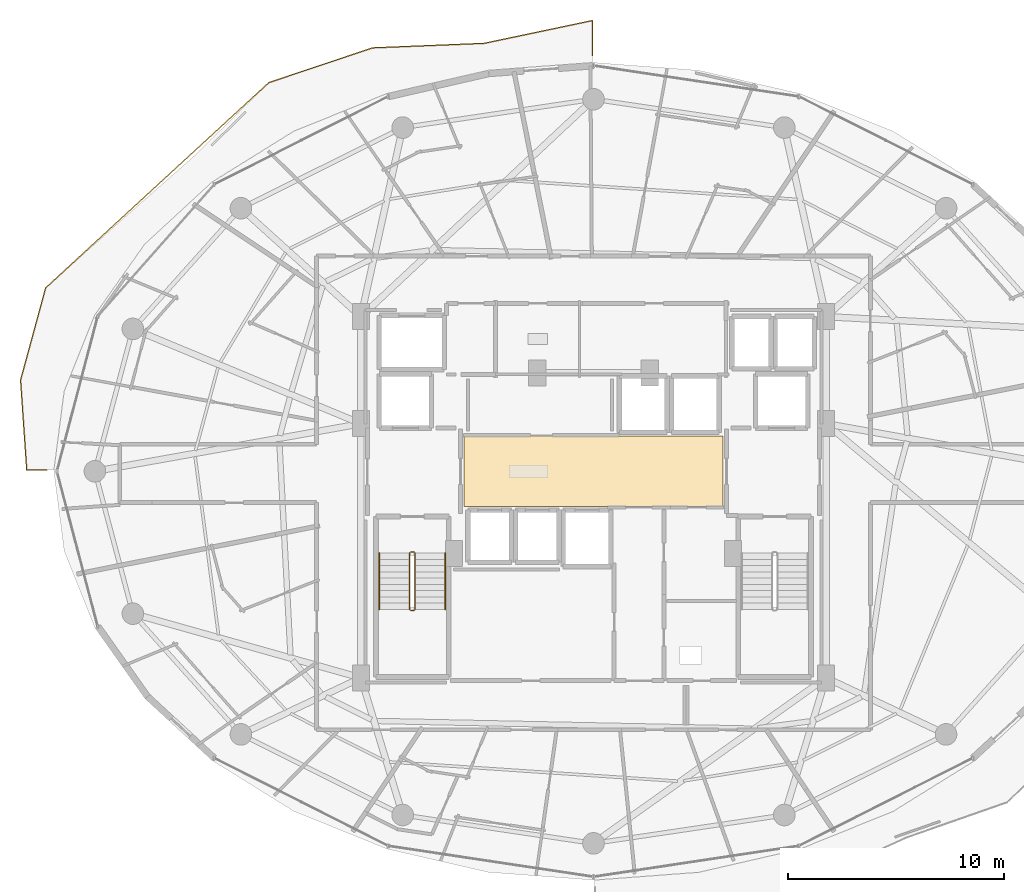
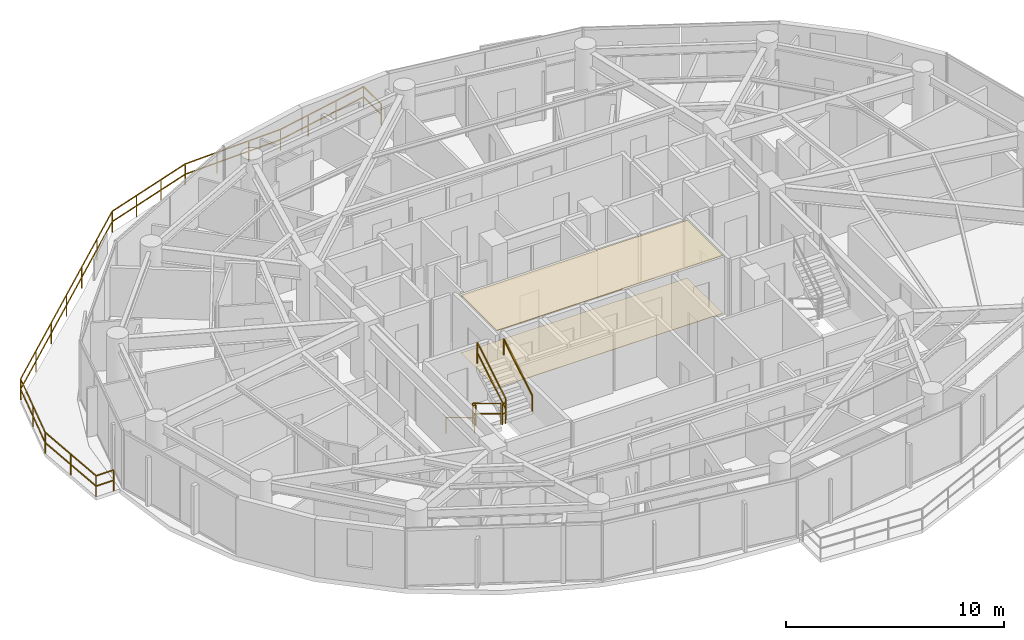
# One storey, part 26 of 29: 8 railings, 2 coverings.
"""IFC4 building model written with IfcOpenShell, lengths in metres."""

from ifc_helpers import new_model, si_unit, direction, frame, origin, origin_2d, place, context, subcontext, project, spatial, polyline, rectangle, outline, extrude, material, layer, layer_set, type_object, element, save


model = new_model("IFC4")

# Units and contexts
model_context = context("Model", 3, precision=1e-05, world=origin(), true_north=direction((0.0, 1.0)))
body_context = subcontext(model_context, "Body", "Model", "MODEL_VIEW")
ifc_project = project(units=[si_unit("LENGTHUNIT", "METRE"), si_unit("AREAUNIT", "SQUARE_METRE"), si_unit("VOLUMEUNIT", "CUBIC_METRE"), si_unit("PLANEANGLEUNIT", "RADIAN"), si_unit("MASSUNIT", "GRAM", prefix="KILO")], contexts=[model_context])

# Site, building, storey
site_placement = place(None, origin())
site = spatial("IfcSite", under=ifc_project, at=site_placement, CompositionType="ELEMENT")
building_placement = place(site_placement, origin())
building = spatial("IfcBuilding", under=site, at=building_placement, Name="Vorneva Point Tower", CompositionType="ELEMENT")
storey_placement = place(building_placement, frame((0.0, 0.0, 150.10009765625)))
storey = spatial("IfcBuildingStorey", under=building, at=storey_placement, Name="L40", CompositionType="ELEMENT", Elevation=150.10009765625)

# Coverings
ifc_material_1 = material(Name="Perforated acoustic aluminium baffle ceiling", Category="aluminium")
ifc_layer_1 = layer(ifc_material_1, 0.030029296875)
ifc_layer_set_1 = layer_set([ifc_layer_1], Name="Perforated acoustic aluminium baffle ceiling")
covering_type_1 = type_object("IfcCoveringType", Name="COV-CEIL-BAF", PredefinedType="CEILING", material=ifc_layer_set_1)
covering_1_placement = place(storey_placement, frame((0.0, 0.0, 3.2099609375)))
element("IfcCovering", 1, at=covering_1_placement, inside=storey, type_object=covering_type_1, Name="L40 Lift Lobby Acoustic Baffle Ceiling", PredefinedType="CEILING", context=body_context, shape_type="SweptSolid", body=[
    extrude(outline(polyline([(32.02001953125, 24.3701171875), (43.97998046875, 24.3701171875), (43.97998046875, 27.6298828125), (32.02001953125, 27.6298828125), (32.02001953125, 24.3701171875)])), origin(), (0.0, 0.0, 1.0), 0.034912109375),
])
ifc_material_2 = material(Name="Acoustic wool hospitality carpet", Category="textile")
ifc_layer_2 = layer(ifc_material_2, 0.01806640625)
ifc_layer_set_2 = layer_set([ifc_layer_2], Name="Acoustic wool hospitality carpet")
covering_type_2 = type_object("IfcCoveringType", Name="COV-FLR-CRP", PredefinedType="FLOORING", material=ifc_layer_set_2)
covering_2_placement = place(storey_placement, frame((0.0, 0.0, -0.005126953125)))
element("IfcCovering", 2, at=covering_2_placement, inside=storey, type_object=covering_type_2, Name="L40 Lift Lobby Floor Finish", PredefinedType="FLOORING", context=body_context, shape_type="SweptSolid", body=[
    extrude(outline(polyline([(32.02001953125, 24.3701171875), (43.97998046875, 24.3701171875), (43.97998046875, 27.6298828125), (32.02001953125, 27.6298828125), (32.02001953125, 24.3701171875)])), origin(), (0.0, 0.0, 1.0), 0.02294921875),
])

# Railings
ifc_material_3 = material(Name="Pale anodised aluminium", Category="aluminium")
railing_type_1 = type_object("IfcRailingType", Name="RL-BAL-1200", PredefinedType="BALUSTRADE", material=ifc_material_3)
railing_1_placement = place(storey_placement, frame((11.796630859375, 26.050048828125, 0.0)))
element("IfcRailing", 3, at=railing_1_placement, inside=storey, type_object=railing_type_1, Name="L40 Wave Balcony Balustrade NW.1", PredefinedType="BALUSTRADE", context=body_context, shape_type="SweptSolid", body=[
    extrude(rectangle(XDim=0.048095703125, YDim=0.048095703125, at=origin_2d()), frame((0.0, 0.0, 1.17578125), z_axis=(1.0, 0.0, 0.0), x_axis=(0.0, 1.0, 0.0)), (0.0, 0.0, 1.0), 0.937255859375),
    extrude(rectangle(XDim=0.048095703125, YDim=0.048095703125, at=origin_2d()), frame((0.0, 0.0, 0.60009765625), z_axis=(1.0, 0.0, 0.0), x_axis=(0.0, 1.0, 0.0)), (0.0, 0.0, 1.0), 0.937255859375),
    extrude(rectangle(XDim=0.0419921875, YDim=0.0419921875, at=origin_2d()), origin(), (0.0, 0.0, 1.0), 1.15185546875),
    extrude(rectangle(XDim=0.0419921875, YDim=0.0419921875, at=origin_2d()), frame((0.937255859375, 0.0, 0.0)), (0.0, 0.0, 1.0), 1.15185546875),
])
railing_2_placement = place(storey_placement, frame((37.949951171875, 45.21728515625, 0.0)))
element("IfcRailing", 4, at=railing_2_placement, inside=storey, type_object=railing_type_1, Name="L40 Wave Balcony Balustrade NW.2", PredefinedType="BALUSTRADE", context=body_context, shape_type="SweptSolid", body=[
    extrude(rectangle(XDim=0.048095703125, YDim=0.048095703125, at=origin_2d()), frame((0.0, 0.0, 1.17578125), z_axis=(0.0, 1.0, 0.0), x_axis=(-1.0, 0.0, 0.0)), (0.0, 0.0, 1.0), 1.622314453125),
    extrude(rectangle(XDim=0.048095703125, YDim=0.048095703125, at=origin_2d()), frame((0.0, 0.0, 0.60009765625), z_axis=(0.0, 1.0, 0.0), x_axis=(-1.0, 0.0, 0.0)), (0.0, 0.0, 1.0), 1.622314453125),
    extrude(rectangle(XDim=0.048095703125, YDim=0.048095703125, at=origin_2d()), frame((0.0, 1.622314453125, 1.17578125), z_axis=(-0.978565479687, -0.205935917131, 0.0), x_axis=(0.205935917131, -0.978565479687, 0.0)), (0.0, 0.0, 1.0), 5.115478515625),
    extrude(rectangle(XDim=0.048095703125, YDim=0.048095703125, at=origin_2d()), frame((0.0, 1.622314453125, 0.60009765625), z_axis=(-0.978565479687, -0.205935917131, 0.0), x_axis=(0.205935917131, -0.978565479687, 0.0)), (0.0, 0.0, 1.0), 5.115478515625),
    extrude(rectangle(XDim=0.048095703125, YDim=0.048095703125, at=origin_2d()), frame((-5.005859375, 0.56884765625, 1.17578125), z_axis=(-0.999181493619, -0.040451734317, 0.0), x_axis=(0.040451734317, -0.999181493619, 0.0)), (0.0, 0.0, 1.0), 5.16015625),
    extrude(rectangle(XDim=0.048095703125, YDim=0.048095703125, at=origin_2d()), frame((-5.005859375, 0.56884765625, 0.60009765625), z_axis=(-0.999181493619, -0.040451734317, 0.0), x_axis=(0.040451734317, -0.999181493619, 0.0)), (0.0, 0.0, 1.0), 5.16015625),
    extrude(rectangle(XDim=0.048095703125, YDim=0.048095703125, at=origin_2d()), frame((-10.161865234375, 0.360107421875, 1.17578125), z_axis=(-0.948334924169, -0.317270975038, 0.0), x_axis=(0.317270975038, -0.948334924169, 0.0)), (0.0, 0.0, 1.0), 5.05419921875),
    extrude(rectangle(XDim=0.048095703125, YDim=0.048095703125, at=origin_2d()), frame((-10.161865234375, 0.360107421875, 0.60009765625), z_axis=(-0.948334924169, -0.317270975038, 0.0), x_axis=(0.317270975038, -0.948334924169, 0.0)), (0.0, 0.0, 1.0), 5.05419921875),
    extrude(rectangle(XDim=0.048095703125, YDim=0.048095703125, at=origin_2d()), frame((-14.954833984375, -1.243408203125, 1.17578125), z_axis=(-0.73603472596, -0.676943780665, 0.0), x_axis=(0.676943780665, -0.73603472596, 0.0)), (0.0, 0.0, 1.0), 14.02685546875),
    extrude(rectangle(XDim=0.048095703125, YDim=0.048095703125, at=origin_2d()), frame((-14.954833984375, -1.243408203125, 0.60009765625), z_axis=(-0.73603472596, -0.676943780665, 0.0), x_axis=(0.676943780665, -0.73603472596, 0.0)), (0.0, 0.0, 1.0), 14.02685546875),
    extrude(rectangle(XDim=0.048095703125, YDim=0.048095703125, at=origin_2d()), frame((-25.279052734375, -10.73876953125, 1.17578125), z_axis=(-0.262579449099, -0.964910375585, 0.0), x_axis=(0.964910375585, -0.262579449099, 0.0)), (0.0, 0.0, 1.0), 4.41650390625),
    extrude(rectangle(XDim=0.048095703125, YDim=0.048095703125, at=origin_2d()), frame((-25.279052734375, -10.73876953125, 0.60009765625), z_axis=(-0.262579449099, -0.964910375585, 0.0), x_axis=(0.964910375585, -0.262579449099, 0.0)), (0.0, 0.0, 1.0), 4.41650390625),
    extrude(rectangle(XDim=0.048095703125, YDim=0.048095703125, at=origin_2d()), frame((-26.438720703125, -15.000244140625, 1.17578125), z_axis=(0.068330661479, -0.997662728933, 0.0), x_axis=(0.997662728933, 0.068330661479, 0.0)), (0.0, 0.0, 1.0), 4.1767578125),
    extrude(rectangle(XDim=0.048095703125, YDim=0.048095703125, at=origin_2d()), frame((-26.438720703125, -15.000244140625, 0.60009765625), z_axis=(0.068330661479, -0.997662728933, 0.0), x_axis=(0.997662728933, 0.068330661479, 0.0)), (0.0, 0.0, 1.0), 4.1767578125),
    extrude(rectangle(XDim=0.0419921875, YDim=0.0419921875, at=origin_2d()), origin(), (0.0, 0.0, 1.0), 1.15185546875),
    extrude(rectangle(XDim=0.0419921875, YDim=0.0419921875, at=origin_2d()), frame((0.0, 1.622314453125, 0.0)), (0.0, 0.0, 1.0), 1.15185546875),
    extrude(rectangle(XDim=0.0419921875, YDim=0.0419921875, at=origin_2d()), frame((-1.668701171875, 1.271240234375, 0.0)), (0.0, 0.0, 1.0), 1.15185546875),
    extrude(rectangle(XDim=0.0419921875, YDim=0.0419921875, at=origin_2d()), frame((-3.337158203125, 0.919921875, 0.0)), (0.0, 0.0, 1.0), 1.15185546875),
    extrude(rectangle(XDim=0.0419921875, YDim=0.0419921875, at=origin_2d()), frame((-5.005859375, 0.56884765625, 0.0)), (0.0, 0.0, 1.0), 1.15185546875),
    extrude(rectangle(XDim=0.0419921875, YDim=0.0419921875, at=origin_2d()), frame((-6.724609375, 0.499267578125, 0.0)), (0.0, 0.0, 1.0), 1.15185546875),
    extrude(rectangle(XDim=0.0419921875, YDim=0.0419921875, at=origin_2d()), frame((-8.443115234375, 0.4296875, 0.0)), (0.0, 0.0, 1.0), 1.15185546875),
    extrude(rectangle(XDim=0.0419921875, YDim=0.0419921875, at=origin_2d()), frame((-10.161865234375, 0.360107421875, 0.0)), (0.0, 0.0, 1.0), 1.15185546875),
    extrude(rectangle(XDim=0.0419921875, YDim=0.0419921875, at=origin_2d()), frame((-11.759521484375, -0.17431640625, 0.0)), (0.0, 0.0, 1.0), 1.15185546875),
    extrude(rectangle(XDim=0.0419921875, YDim=0.0419921875, at=origin_2d()), frame((-13.357177734375, -0.708984375, 0.0)), (0.0, 0.0, 1.0), 1.15185546875),
    extrude(rectangle(XDim=0.0419921875, YDim=0.0419921875, at=origin_2d()), frame((-14.954833984375, -1.243408203125, 0.0)), (0.0, 0.0, 1.0), 1.15185546875),
    extrude(rectangle(XDim=0.0419921875, YDim=0.0419921875, at=origin_2d()), frame((-16.675537109375, -2.825927734375, 0.0)), (0.0, 0.0, 1.0), 1.15185546875),
    extrude(rectangle(XDim=0.0419921875, YDim=0.0419921875, at=origin_2d()), frame((-18.396240234375, -4.408447265625, 0.0)), (0.0, 0.0, 1.0), 1.15185546875),
    extrude(rectangle(XDim=0.0419921875, YDim=0.0419921875, at=origin_2d()), frame((-20.116943359375, -5.9912109375, 0.0)), (0.0, 0.0, 1.0), 1.15185546875),
    extrude(rectangle(XDim=0.0419921875, YDim=0.0419921875, at=origin_2d()), frame((-21.837646484375, -7.57373046875, 0.0)), (0.0, 0.0, 1.0), 1.15185546875),
    extrude(rectangle(XDim=0.0419921875, YDim=0.0419921875, at=origin_2d()), frame((-23.558349609375, -9.15625, 0.0)), (0.0, 0.0, 1.0), 1.15185546875),
    extrude(rectangle(XDim=0.0419921875, YDim=0.0419921875, at=origin_2d()), frame((-25.279052734375, -10.73876953125, 0.0)), (0.0, 0.0, 1.0), 1.15185546875),
    extrude(rectangle(XDim=0.0419921875, YDim=0.0419921875, at=origin_2d()), frame((-25.85888671875, -12.86962890625, 0.0)), (0.0, 0.0, 1.0), 1.15185546875),
    extrude(rectangle(XDim=0.0419921875, YDim=0.0419921875, at=origin_2d()), frame((-26.438720703125, -15.000244140625, 0.0)), (0.0, 0.0, 1.0), 1.15185546875),
    extrude(rectangle(XDim=0.0419921875, YDim=0.0419921875, at=origin_2d()), frame((-26.2958984375, -17.083740234375, 0.0)), (0.0, 0.0, 1.0), 1.15185546875),
    extrude(rectangle(XDim=0.0419921875, YDim=0.0419921875, at=origin_2d()), frame((-26.1533203125, -19.167236328125, 0.0)), (0.0, 0.0, 1.0), 1.15185546875),
])
ifc_material_4 = material(Name="Brushed stainless steel S304", Category="steel")
railing_type_2 = type_object("IfcRailingType", Name="RL-HND-920", PredefinedType="HANDRAIL", material=ifc_material_4)
railing_3_placement = place(storey_placement, frame((28.10009765625, 22.219970703125, 0.1748046875)))
element("IfcRailing", 5, at=railing_3_placement, inside=storey, type_object=railing_type_2, Name="L40 ST1 stair handrail 1", PredefinedType="HANDRAIL", context=body_context, shape_type="SweptSolid", body=[
    extrude(rectangle(XDim=0.048095703125, YDim=0.048095703125, at=origin_2d()), frame((0.0, 0.0, 0.8759765625), z_axis=(0.0, -0.856147343639, 0.516731773728), x_axis=(1.0, 0.0, 0.0)), (0.0, 0.0, 1.0), 3.04833984375),
    extrude(rectangle(XDim=0.0419921875, YDim=0.0419921875, at=origin_2d()), origin(), (0.0, 0.0, 1.0), 0.851806640625),
    extrude(rectangle(XDim=0.0419921875, YDim=0.0419921875, at=origin_2d()), frame((0.0, -2.60986328125, 1.5751953125)), (0.0, 0.0, 1.0), 0.851806640625),
])
railing_4_placement = place(storey_placement, frame((31.14990234375, 19.610107421875, 1.9248046875)))
element("IfcRailing", 6, at=railing_4_placement, inside=storey, type_object=railing_type_2, Name="L40 ST1 stair handrail 2", PredefinedType="HANDRAIL", context=body_context, shape_type="SweptSolid", body=[
    extrude(rectangle(XDim=0.048095703125, YDim=0.048095703125, at=origin_2d()), frame((0.0, 0.0, 0.8759765625), z_axis=(0.0, 0.856147343639, 0.516731773728), x_axis=(-1.0, 0.0, 0.0)), (0.0, 0.0, 1.0), 3.04833984375),
    extrude(rectangle(XDim=0.0419921875, YDim=0.0419921875, at=origin_2d()), origin(), (0.0, 0.0, 1.0), 0.851806640625),
    extrude(rectangle(XDim=0.0419921875, YDim=0.0419921875, at=origin_2d()), frame((0.0, 2.60986328125, 1.5751953125)), (0.0, 0.0, 1.0), 0.851806640625),
])
railing_type_3 = type_object("IfcRailingType", Name="RL-STG-1100", PredefinedType="GUARDRAIL", material=ifc_material_4)
railing_5_placement = place(storey_placement, frame((29.5, 22.219970703125, 0.1748046875)))
element("IfcRailing", 7, at=railing_5_placement, inside=storey, type_object=railing_type_3, Name="L40 ST1 stair guard 1", PredefinedType="GUARDRAIL", context=body_context, shape_type="SweptSolid", body=[
    extrude(rectangle(XDim=0.048095703125, YDim=0.048095703125, at=origin_2d()), frame((0.0, 0.0, 1.17578125), z_axis=(0.0, -0.856147343639, 0.516731773728), x_axis=(1.0, 0.0, 0.0)), (0.0, 0.0, 1.0), 3.04833984375),
    extrude(rectangle(XDim=0.048095703125, YDim=0.048095703125, at=origin_2d()), frame((0.0, 0.0, 0.60009765625), z_axis=(0.0, -0.856147343639, 0.516731773728), x_axis=(1.0, 0.0, 0.0)), (0.0, 0.0, 1.0), 3.04833984375),
    extrude(rectangle(XDim=0.0419921875, YDim=0.0419921875, at=origin_2d()), origin(), (0.0, 0.0, 1.0), 1.15185546875),
    extrude(rectangle(XDim=0.0419921875, YDim=0.0419921875, at=origin_2d()), frame((0.0, -2.60986328125, 1.5751953125)), (0.0, 0.0, 1.0), 1.15185546875),
])
railing_6_placement = place(storey_placement, frame((29.550048828125, 19.56005859375, 1.75)))
element("IfcRailing", 8, at=railing_6_placement, inside=storey, type_object=railing_type_3, Name="L40 ST1 stair guard 2", PredefinedType="GUARDRAIL", context=body_context, shape_type="SweptSolid", body=[
    extrude(rectangle(XDim=0.048095703125, YDim=0.048095703125, at=origin_2d()), frame((0.0, 0.0, 1.17578125), z_axis=(1.0, 0.0, 0.0), x_axis=(0.0, 1.0, 0.0)), (0.0, 0.0, 1.0), 0.14990234375),
    extrude(rectangle(XDim=0.048095703125, YDim=0.048095703125, at=origin_2d()), frame((0.0, 0.0, 0.60009765625), z_axis=(1.0, 0.0, 0.0), x_axis=(0.0, 1.0, 0.0)), (0.0, 0.0, 1.0), 0.14990234375),
    extrude(rectangle(XDim=0.0419921875, YDim=0.0419921875, at=origin_2d()), origin(), (0.0, 0.0, 1.0), 1.15185546875),
    extrude(rectangle(XDim=0.0419921875, YDim=0.0419921875, at=origin_2d()), frame((0.14990234375, 0.0, 0.0)), (0.0, 0.0, 1.0), 1.15185546875),
])
railing_7_placement = place(storey_placement, frame((29.75, 19.610107421875, 1.9248046875)))
element("IfcRailing", 9, at=railing_7_placement, inside=storey, type_object=railing_type_3, Name="L40 ST1 stair guard 3", PredefinedType="GUARDRAIL", context=body_context, shape_type="SweptSolid", body=[
    extrude(rectangle(XDim=0.048095703125, YDim=0.048095703125, at=origin_2d()), frame((0.0, 0.0, 1.17578125), z_axis=(0.0, 0.856147343639, 0.516731773728), x_axis=(-1.0, 0.0, 0.0)), (0.0, 0.0, 1.0), 3.04833984375),
    extrude(rectangle(XDim=0.048095703125, YDim=0.048095703125, at=origin_2d()), frame((0.0, 0.0, 0.60009765625), z_axis=(0.0, 0.856147343639, 0.516731773728), x_axis=(-1.0, 0.0, 0.0)), (0.0, 0.0, 1.0), 3.04833984375),
    extrude(rectangle(XDim=0.0419921875, YDim=0.0419921875, at=origin_2d()), origin(), (0.0, 0.0, 1.0), 1.15185546875),
    extrude(rectangle(XDim=0.0419921875, YDim=0.0419921875, at=origin_2d()), frame((0.0, 2.60986328125, 1.5751953125)), (0.0, 0.0, 1.0), 1.15185546875),
])
railing_8_placement = place(storey_placement, frame((29.550048828125, 22.27001953125, 0.0)))
element("IfcRailing", 10, at=railing_8_placement, inside=storey, type_object=railing_type_3, Name="L40 ST1 stair guard 4", PredefinedType="GUARDRAIL", context=body_context, shape_type="SweptSolid", body=[
    extrude(rectangle(XDim=0.048095703125, YDim=0.048095703125, at=origin_2d()), frame((0.0, 0.0, 1.17578125), z_axis=(1.0, 0.0, 0.0), x_axis=(0.0, 1.0, 0.0)), (0.0, 0.0, 1.0), 0.14990234375),
    extrude(rectangle(XDim=0.048095703125, YDim=0.048095703125, at=origin_2d()), frame((0.0, 0.0, 0.60009765625), z_axis=(1.0, 0.0, 0.0), x_axis=(0.0, 1.0, 0.0)), (0.0, 0.0, 1.0), 0.14990234375),
    extrude(rectangle(XDim=0.0419921875, YDim=0.0419921875, at=origin_2d()), origin(), (0.0, 0.0, 1.0), 1.15185546875),
    extrude(rectangle(XDim=0.0419921875, YDim=0.0419921875, at=origin_2d()), frame((0.14990234375, 0.0, 0.0)), (0.0, 0.0, 1.0), 1.15185546875),
])

save(model, "model.ifc")
